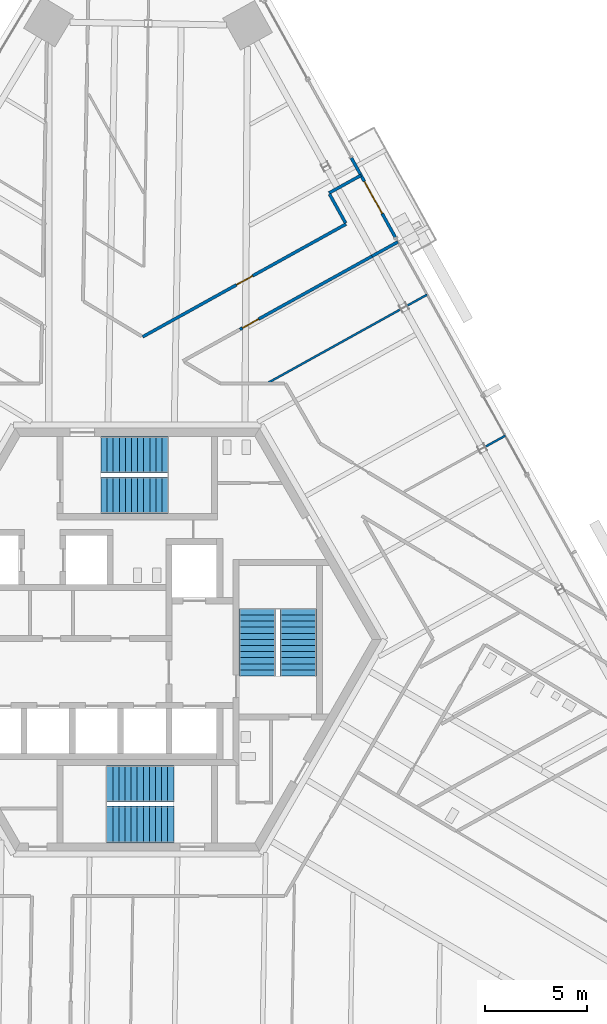
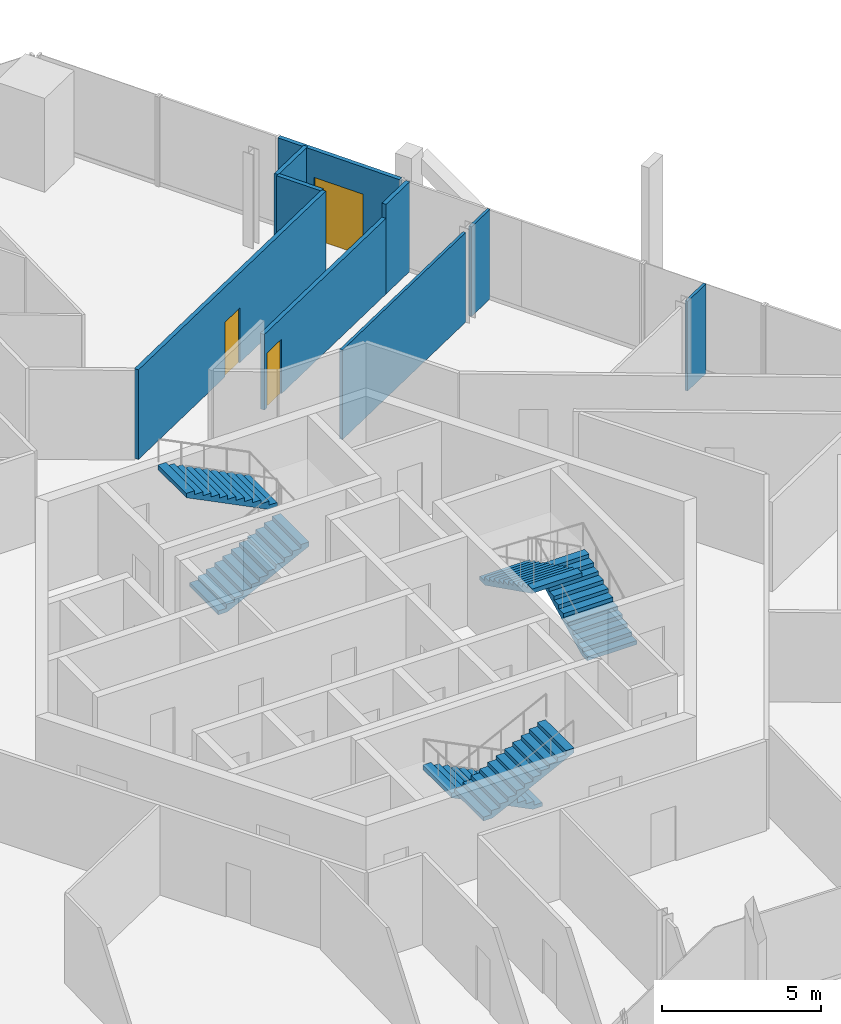
# One storey, part 15 of 21: 9 walls, 6 stair flights, 3 doors, 3 openings, 3 elements without a shape of their own.
"""IFC4 building model written with IfcOpenShell, lengths in metres."""

from ifc_helpers import new_model, si_unit, direction, frame, frame_2d, origin, place, context, subcontext, project, spatial, polyline, rectangle, outline, extrude, source, transform, mapped, material, layer, layer_set, type_object, element, fill, aggregate, save


model = new_model("IFC4")

# Units and contexts
model_context = context("Model", 3, precision=1e-05, world=origin(), true_north=direction((0.0, 1.0)))
body_context = subcontext(model_context, "Body", "Model", "MODEL_VIEW")
ifc_project = project(units=[si_unit("LENGTHUNIT", "METRE"), si_unit("AREAUNIT", "SQUARE_METRE"), si_unit("VOLUMEUNIT", "CUBIC_METRE"), si_unit("PLANEANGLEUNIT", "RADIAN"), si_unit("MASSUNIT", "GRAM", prefix="KILO")], contexts=[model_context])

# Site, building, storey
site_placement = place(None, origin())
site = spatial("IfcSite", under=ifc_project, at=site_placement, CompositionType="ELEMENT")
building_placement = place(site_placement, origin())
building = spatial("IfcBuilding", under=site, at=building_placement, Name="Triune Harvest Tower", CompositionType="ELEMENT")
storey_placement = place(building_placement, frame((0.0, 0.0, 201.5)))
storey = spatial("IfcBuildingStorey", under=building, at=storey_placement, Name="L52", CompositionType="ELEMENT", Elevation=201.5)

# Wall
ifc_material_1 = material(Name="Gypsum board on steel studs", Category="steel")
ifc_layer_1 = layer(ifc_material_1, 0.14990234375)
ifc_layer_set_1 = layer_set([ifc_layer_1], Name="Gypsum board on steel studs")
wall_type_1 = type_object("IfcWallType", Name="Fire Partition 150 mm", PredefinedType="PARTITIONING", material=ifc_layer_set_1)
wall_1_placement = place(storey_placement, frame((9.445556640625, 21.896728515625, 0.0), z_axis=(0.0, 0.0, 1.0), x_axis=(0.484875625824, -0.874583116394, 0.0)))
element("IfcWall", 1, at=wall_1_placement, inside=storey, type_object=wall_type_1, Name="Partition L52 002", PredefinedType="PARTITIONING", context=body_context, shape_type="SweptSolid", body=[
    extrude(rectangle(XDim=1.621337890625, YDim=0.14990234375, at=frame_2d((0.810546875, 0.0))), origin(), (0.0, 0.0, 1.0), 3.43994140625),
])

# Wall, opening, door
wall_2_placement = place(storey_placement, frame((5.0380859375, 15.24462890625, 0.0), z_axis=(0.0, 0.0, 1.0), x_axis=(0.874622147994, 0.484805216803, 0.0)))
wall_2 = element("IfcWall", 2, at=wall_2_placement, inside=storey, type_object=wall_type_1, Name="Partition L52 037a", PredefinedType="PARTITIONING", context=body_context, shape_type="SweptSolid", body=[
    extrude(rectangle(XDim=7.42529296875, YDim=0.14990234375, at=frame_2d((3.712646484375, 0.0))), origin(), (0.0, 0.0, 1.0), 2.904052734375),
])
opening_1_placement = place(wall_2_placement, frame((0.14990234375, 0.0, 0.0)))
opening_1 = element("IfcOpeningElement", 3, at=opening_1_placement, cuts=wall_2, Name="Opening L52-009", PredefinedType="OPENING", context=body_context, shape_type="SweptSolid", body=[
    extrude(rectangle(XDim=0.89990234375, YDim=2.10009765625, at=frame_2d((0.449951171875, 1.050048828125))), frame((0.0, 0.0849609375, 0.0), z_axis=(0.0, -1.0, 0.0), x_axis=(1.0, 0.0, 0.0)), (0.0, 0.0, 1.0), 0.169921875),
])
ifc_material_2 = material(Name="Timber and steel door set", Category="steel")
door_type_1 = type_object("IfcDoorType", Name="Single leaf door FD30 right hand 900 x 2100", OperationType="SINGLE_SWING_RIGHT", PredefinedType="DOOR", material=ifc_material_2)
door_1_placement = place(opening_1_placement, origin())
door_1 = element("IfcDoor", 4, at=door_1_placement, inside=storey, type_object=door_type_1, Name="Door L52-009 Office 52.09", OperationType="SINGLE_SWING_RIGHT", OverallHeight=2.10009765625, OverallWidth=0.89990234375, PredefinedType="DOOR", context=body_context, shape_type="SweptSolid", body=[
    extrude(rectangle(XDim=0.89990234375, YDim=2.10009765625, at=frame_2d((0.449951171875, 1.050048828125))), frame((0.0, 0.02490234375, 0.0), z_axis=(0.0, -1.0, 0.0), x_axis=(1.0, 0.0, 0.0)), (0.0, 0.0, 1.0), 0.050048828125),
])
fill(opening_1, door_1)

wall_3_placement = place(storey_placement, frame((0.259765625, 14.8828125, 0.0), z_axis=(0.0, 0.0, 1.0), x_axis=(0.874626189132, 0.484797926238, 0.0)))
wall_3 = element("IfcWall", 5, at=wall_3_placement, inside=storey, type_object=wall_type_1, Name="Partition L52 040", PredefinedType="PARTITIONING", context=body_context, shape_type="SweptSolid", body=[
    extrude(rectangle(XDim=11.4345703125, YDim=0.14990234375, at=frame_2d((5.71728515625, 0.0))), origin(), (0.0, 0.0, 1.0), 3.43994140625),
])
opening_2_placement = place(wall_3_placement, frame((5.283447265625, 0.0, 0.0)))
opening_2 = element("IfcOpeningElement", 6, at=opening_2_placement, cuts=wall_3, Name="Opening L52-008", PredefinedType="OPENING", context=body_context, shape_type="SweptSolid", body=[
    extrude(rectangle(XDim=0.89990234375, YDim=2.10009765625, at=frame_2d((0.449951171875, 1.050048828125))), frame((0.0, 0.0849609375, 0.0), z_axis=(0.0, -1.0, 0.0), x_axis=(1.0, 0.0, 0.0)), (0.0, 0.0, 1.0), 0.169921875),
])
door_2_placement = place(opening_2_placement, origin())
door_2 = element("IfcDoor", 7, at=door_2_placement, inside=storey, type_object=door_type_1, Name="Door L52-008 Office 52.08", OperationType="SINGLE_SWING_RIGHT", OverallHeight=2.10009765625, OverallWidth=0.89990234375, PredefinedType="DOOR", context=body_context, shape_type="SweptSolid", body=[
    extrude(rectangle(XDim=0.89990234375, YDim=2.10009765625, at=frame_2d((0.449951171875, 1.050048828125))), frame((0.0, 0.02490234375, 0.0), z_axis=(0.0, -1.0, 0.0), x_axis=(1.0, 0.0, 0.0)), (0.0, 0.0, 1.0), 0.050048828125),
])
fill(opening_2, door_2)

# Wall
wall_4_placement = place(storey_placement, frame((9.41650390625, 21.94921875, 0.0), z_axis=(0.0, 0.0, 1.0), x_axis=(0.874662207377, 0.484732939861, 0.0)))
element("IfcWall", 8, at=wall_4_placement, inside=storey, type_object=wall_type_1, Name="Partition L52 041", PredefinedType="PARTITIONING", context=body_context, shape_type="SweptSolid", body=[
    extrude(rectangle(XDim=1.800048828125, YDim=0.14990234375, at=frame_2d((0.89990234375, 0.0))), origin(), (0.0, 0.0, 1.0), 3.43994140625),
])

# Wall, opening, door
ifc_material_3 = material(Name="Aluminium bronze anodised", Category="aluminium")
ifc_layer_2 = layer(ifc_material_3, 0.14990234375)
ifc_layer_set_2 = layer_set([ifc_layer_2], Name="Aluminium bronze anodised")
wall_type_2 = type_object("IfcWallType", Name="WW-2 balcony window wall", PredefinedType="ELEMENTEDWALL", material=ifc_layer_set_2)
shared_shape_1 = source(origin(), body_context, "Body", "SweptSolid", [
    extrude(rectangle(XDim=4.460693359375, YDim=0.14990234375, at=frame_2d((2.23046875, 0.0))), origin(), (0.0, 0.0, 1.0), 3.43994140625),
])
wall_5_placement = place(storey_placement, frame((10.515625, 23.67919921875, 0.0), z_axis=(0.0, 0.0, 1.0), x_axis=(0.484815538564, -0.874616426536, 0.0)))
wall_5 = element("IfcWall", 9, at=wall_5_placement, inside=storey, type_object=wall_type_2, Name="WW-2 B5-F1 L52.9", PredefinedType="ELEMENTEDWALL", context=body_context, shape_type="MappedRepresentation", body=[
    mapped(shared_shape_1, transform((0.0, 0.0, 0.0), scale=1.0)),
])
opening_3_placement = place(wall_5_placement, frame((1.330322265625, 0.0, 0.0)))
opening_3 = element("IfcOpeningElement", 10, at=opening_3_placement, cuts=wall_5, Name="Opening L52-E01", PredefinedType="OPENING", context=body_context, shape_type="SweptSolid", body=[
    extrude(rectangle(XDim=1.800048828125, YDim=2.39990234375, at=frame_2d((0.89990234375, 1.199951171875))), frame((0.0, 0.0849609375, 0.0), z_axis=(0.0, -1.0, 0.0), x_axis=(1.0, 0.0, 0.0)), (0.0, 0.0, 1.0), 0.169921875),
])
ifc_material_4 = material(Name="Glass", Category="glass")
door_type_2 = type_object("IfcDoorType", Name="DB-1 balcony door 1800 x 2400", OperationType="DOUBLE_DOOR_SINGLE_SWING", PredefinedType="DOOR", material=ifc_material_4)
door_3_placement = place(opening_3_placement, origin())
door_3 = element("IfcDoor", 11, at=door_3_placement, inside=storey, type_object=door_type_2, Name="Door L52-E01", OperationType="DOUBLE_DOOR_SINGLE_SWING", OverallHeight=2.39990234375, OverallWidth=1.800048828125, PredefinedType="DOOR", context=body_context, shape_type="SweptSolid", body=[
    extrude(rectangle(XDim=1.800048828125, YDim=2.39990234375, at=frame_2d((0.89990234375, 1.199951171875))), frame((0.0, 0.02490234375, 0.0), z_axis=(0.0, -1.0, 0.0), x_axis=(1.0, 0.0, 0.0)), (0.0, 0.0, 1.0), 0.050048828125),
])
fill(opening_3, door_3)

# Walls
ifc_material_5 = material(Name="Gypsum board on steel studs", Category="steel")
ifc_layer_3 = layer(ifc_material_5, 0.10009765625)
ifc_layer_set_3 = layer_set([ifc_layer_3], Name="Gypsum board on steel studs")
wall_type_3 = type_object("IfcWallType", Name="Partition 100 mm", PredefinedType="PARTITIONING", material=ifc_layer_set_3)
shared_shape_2 = source(origin(), body_context, "Body", "SweptSolid", [
    extrude(rectangle(XDim=1.130615234375, YDim=0.10009765625, at=frame_2d((0.5654296875, 0.0))), origin(), (0.0, 0.0, 1.0), 3.43994140625),
])
for number, where, z_axis, x_axis, name in (
    (12, (17.095703125, 9.476318359375, 0.0), (0.0, 0.0, 1.0), (0.874666025762, 0.484726049824, 0.0), "Partition L52 033"),
    (13, (13.252685546875, 16.40966796875, 0.0), (0.0, 0.0, 1.0), (0.874615280468, 0.484817606087, 0.0), "Partition L52 035"),
):
    element("IfcWall", number, at=place(storey_placement, frame(where, z_axis=z_axis, x_axis=x_axis)), inside=storey, type_object=wall_type_3, Name=name, PredefinedType="PARTITIONING", context=body_context, shape_type="MappedRepresentation", body=[
        mapped(shared_shape_2, transform((0.0, 0.0, 0.0), scale=1.0)),
    ])
shared_shape_3 = source(origin(), body_context, "Body", "SweptSolid", [
    extrude(rectangle(XDim=1.45458984375, YDim=0.14990234375, at=frame_2d((0.727294921875, 0.0))), origin(), (0.0, 0.0, 1.0), 3.43994140625),
])
wall_6_placement = place(storey_placement, frame((11.532470703125, 18.844482421875, 0.0), z_axis=(0.0, 0.0, 1.0), x_axis=(0.874584439846, 0.484873238671, 0.0)))
element("IfcWall", 14, at=wall_6_placement, inside=storey, type_object=wall_type_1, Name="Partition L52 037b", PredefinedType="PARTITIONING", context=body_context, shape_type="MappedRepresentation", body=[
    mapped(shared_shape_3, transform((0.0, 0.0, 0.0), scale=1.0)),
])
shared_shape_4 = source(origin(), body_context, "Body", "SweptSolid", [
    extrude(rectangle(XDim=7.530517578125, YDim=0.10009765625, at=frame_2d((3.76513671875, 0.0))), origin(), (0.0, 0.0, 1.0), 3.43994140625),
])
wall_7_placement = place(storey_placement, frame((6.365966796875, 12.59228515625, 0.0), z_axis=(0.0, 0.0, 1.0), x_axis=(0.874621763514, 0.48480591043, 0.0)))
element("IfcWall", 15, at=wall_7_placement, inside=storey, type_object=wall_type_3, Name="Partition L52 034", PredefinedType="PARTITIONING", context=body_context, shape_type="MappedRepresentation", body=[
    mapped(shared_shape_4, transform((0.0, 0.0, 0.0), scale=1.0)),
])

# Stair, stair flights
ifc_material_6 = material(Name="Concrete 40 MPa", Category="concrete")
stair_type = type_object("IfcStairType", Name="Exit stair 1800 half turn", PredefinedType="HALF_TURN_STAIR", material=ifc_material_6)
stair_1_placement = place(storey_placement, origin())
stair_1 = element("IfcStair", 16, at=stair_1_placement, inside=storey, type_object=stair_type, Name="Exit stair north", PredefinedType="HALF_TURN_STAIR")
ifc_material_7 = material(Name="Concrete 40 MPa", Category="concrete")
stair_flight_type = type_object("IfcStairFlightType", Name="Stair flight 1800", PredefinedType="STRAIGHT", material=ifc_material_7)
shared_shape_5 = source(origin(), body_context, "Body", "SweptSolid", [
    extrude(outline(polyline([(0.0, 0.0), (0.0, 0.14990234375), (0.300048828125, 0.14990234375), (0.300048828125, 0.300048828125), (0.60009765625, 0.300048828125), (0.60009765625, 0.449951171875), (0.89990234375, 0.449951171875), (0.89990234375, 0.60009765625), (1.199951171875, 0.60009765625), (1.199951171875, 0.75), (1.5, 0.75), (1.5, 0.89990234375), (1.800048828125, 0.89990234375), (1.800048828125, 1.050048828125), (2.10009765625, 1.050048828125), (2.10009765625, 1.199951171875), (2.39990234375, 1.199951171875), (2.39990234375, 1.35009765625), (2.699951171875, 1.35009765625), (2.699951171875, 1.5), (3.0, 1.5), (3.0, 1.64990234375), (3.300048828125, 1.64990234375), (3.300048828125, 1.800048828125), (3.300048828125, 1.482421875), (0.335205078125, 0.0), (0.0, 0.0)])), frame((0.0, 0.89990234375, 0.0), z_axis=(0.0, -1.0, 0.0), x_axis=(1.0, 0.0, 0.0)), (0.0, 0.0, 1.0), 1.800048828125),
])
stair_flight_1_placement = place(storey_placement, frame((-1.7900390625, 7.090087890625, 0.0), z_axis=(0.0, 0.0, 1.0), x_axis=(1.0, 0.0, 0.0)))
stair_flight_1 = element("IfcStairFlight", 17, at=stair_flight_1_placement, type_object=stair_flight_type, Name="ST-1 flight 1", NumberOfRisers=12, NumberOfTreads=11, PredefinedType="STRAIGHT", RiserHeight=0.15, TreadLength=0.3, context=body_context, shape_type="MappedRepresentation", body=[
    mapped(shared_shape_5, transform((0.0, 0.0, 0.0), scale=1.0)),
])
stair_flight_2_placement = place(storey_placement, frame((1.510009765625, 9.090087890625, 1.800048828125), z_axis=(0.0, 0.0, 1.0), x_axis=(-1.0, 0.0, 0.0)))
stair_flight_2 = element("IfcStairFlight", 18, at=stair_flight_2_placement, type_object=stair_flight_type, Name="ST-1 flight 2", NumberOfRisers=12, NumberOfTreads=11, PredefinedType="STRAIGHT", RiserHeight=0.15, TreadLength=0.3, context=body_context, shape_type="MappedRepresentation", body=[
    mapped(shared_shape_5, transform((0.0, 0.0, 0.0), scale=1.0)),
])
aggregate(stair_1, [stair_flight_1, stair_flight_2])

stair_2_placement = place(storey_placement, origin())
stair_2 = element("IfcStair", 19, at=stair_2_placement, inside=storey, type_object=stair_type, Name="Exit stair south", PredefinedType="HALF_TURN_STAIR")
stair_flight_3_placement = place(storey_placement, frame((1.7900390625, -7.090087890625, 0.0), z_axis=(0.0, 0.0, 1.0), x_axis=(-1.0, 0.0, 0.0)))
stair_flight_3 = element("IfcStairFlight", 20, at=stair_flight_3_placement, type_object=stair_flight_type, Name="ST-2 flight 1", NumberOfRisers=12, NumberOfTreads=11, PredefinedType="STRAIGHT", RiserHeight=0.15, TreadLength=0.3, context=body_context, shape_type="MappedRepresentation", body=[
    mapped(shared_shape_5, transform((0.0, 0.0, 0.0), scale=1.0)),
])
stair_flight_4_placement = place(storey_placement, frame((-1.510009765625, -9.090087890625, 1.800048828125), z_axis=(0.0, 0.0, 1.0), x_axis=(1.0, 0.0, 0.0)))
stair_flight_4 = element("IfcStairFlight", 21, at=stair_flight_4_placement, type_object=stair_flight_type, Name="ST-2 flight 2", NumberOfRisers=12, NumberOfTreads=11, PredefinedType="STRAIGHT", RiserHeight=0.15, TreadLength=0.3, context=body_context, shape_type="MappedRepresentation", body=[
    mapped(shared_shape_5, transform((0.0, 0.0, 0.0), scale=1.0)),
])
aggregate(stair_2, [stair_flight_3, stair_flight_4])

stair_3_placement = place(storey_placement, origin())
stair_3 = element("IfcStair", 22, at=stair_3_placement, inside=storey, type_object=stair_type, Name="Exit stair east", PredefinedType="HALF_TURN_STAIR")
stair_flight_5_placement = place(storey_placement, frame((7.89990234375, -1.7900390625, 0.0), z_axis=(0.0, 0.0, 1.0), x_axis=(0.0, 1.0, 0.0)))
stair_flight_5 = element("IfcStairFlight", 23, at=stair_flight_5_placement, type_object=stair_flight_type, Name="ST-3 flight 1", NumberOfRisers=12, NumberOfTreads=11, PredefinedType="STRAIGHT", RiserHeight=0.15, TreadLength=0.3, context=body_context, shape_type="MappedRepresentation", body=[
    mapped(shared_shape_5, transform((0.0, 0.0, 0.0), scale=1.0)),
])
stair_flight_6_placement = place(storey_placement, frame((5.89990234375, 1.510009765625, 1.800048828125), z_axis=(0.0, 0.0, 1.0), x_axis=(0.0, -1.0, 0.0)))
stair_flight_6 = element("IfcStairFlight", 24, at=stair_flight_6_placement, type_object=stair_flight_type, Name="ST-3 flight 2", NumberOfRisers=12, NumberOfTreads=11, PredefinedType="STRAIGHT", RiserHeight=0.15, TreadLength=0.3, context=body_context, shape_type="MappedRepresentation", body=[
    mapped(shared_shape_5, transform((0.0, 0.0, 0.0), scale=1.0)),
])
aggregate(stair_3, [stair_flight_5, stair_flight_6])

save(model, "model.ifc")
